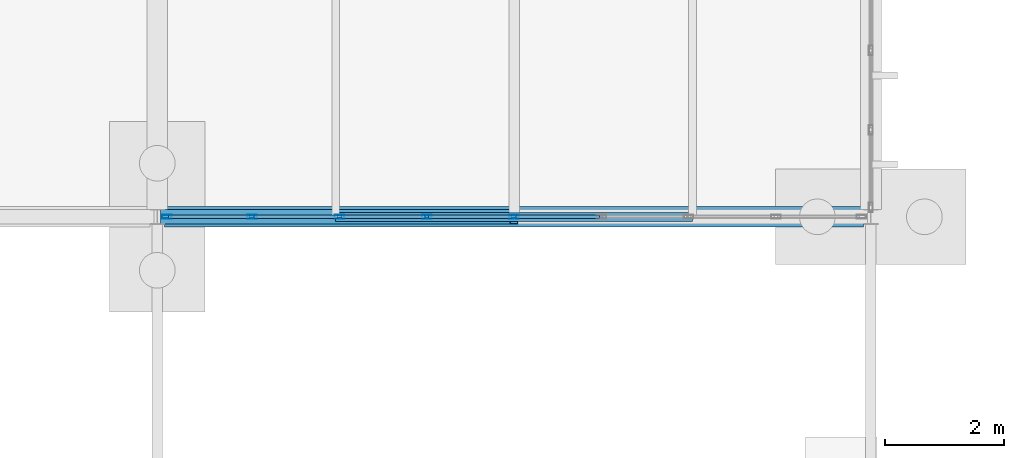
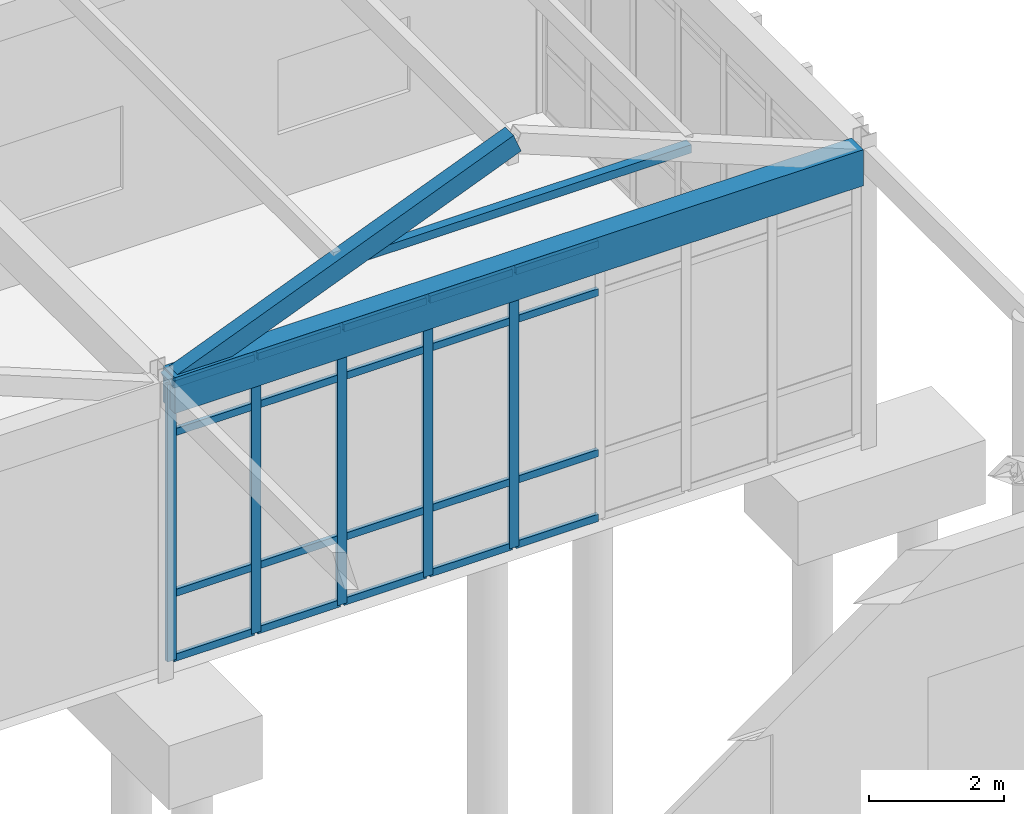
# One storey, part 65 of 188: 27 members, 1 beam, 1 element without a shape of its own.
"""IFC4 building model written with IfcOpenShell, lengths in metres."""

from ifc_helpers import new_model, si_unit, direction, frame, origin, origin_2d, place, context, subcontext, project, spatial, rectangle, hollow_rectangle, extrude, material, layer, layer_set, material_profile, profile_set, type_object, element, aggregate, save


model = new_model("IFC4")

# Units and contexts
model_context = context("Model", 3, precision=1e-05, world=origin(), true_north=direction((0.0, 1.0)))
body_context = subcontext(model_context, "Body", "Model", "MODEL_VIEW")
ifc_project = project(units=[si_unit("LENGTHUNIT", "METRE"), si_unit("AREAUNIT", "SQUARE_METRE"), si_unit("VOLUMEUNIT", "CUBIC_METRE"), si_unit("PLANEANGLEUNIT", "RADIAN"), si_unit("MASSUNIT", "GRAM", prefix="KILO")], contexts=[model_context])

# Site, building, storey
site_placement = place(None, origin())
site = spatial("IfcSite", under=ifc_project, at=site_placement, CompositionType="ELEMENT")
building_placement = place(site_placement, origin())
building = spatial("IfcBuilding", under=site, at=building_placement, Name="Pandanus Reach Market Hall", CompositionType="ELEMENT")
storey_placement = place(building_placement, origin())
storey = spatial("IfcBuildingStorey", under=building, at=storey_placement, Name="L00", CompositionType="ELEMENT", Elevation=0.0)

# Beam
ifc_material_1 = material(Name="Concrete N40 (40 MPa)", Category="concrete")
ifc_material_profile_1 = material_profile(ifc_material_1, rectangle(XDim=0.35009765625, YDim=0.64990234375, at=origin_2d()), Name="RC350x650", Category="LoadBearing")
ifc_profile_set_1 = profile_set([ifc_material_profile_1], Name="Concrete N40 (40 MPa)")
beam_type = type_object("IfcBeamType", Name="BM-RC350-E", PredefinedType="SPANDREL", material=ifc_profile_set_1)
beam_placement = place(storey_placement, frame((24.125, 76.800048828125, 4.8798828125), z_axis=(1.0, 0.0, 0.0), x_axis=(0.0, 1.0, 0.0)))
element("IfcBeam", 1, at=beam_placement, inside=storey, type_object=beam_type, Name="Framing beam BM-RC350-E L00.1180", PredefinedType="SPANDREL", context=body_context, shape_type="SweptSolid", body=[
    extrude(rectangle(XDim=0.35009765625, YDim=0.64990234375, at=origin_2d()), origin(), (0.0, 0.0, 1.0), 11.75),
])

# Member
ifc_material_2 = material(Name="Steel Grade 350 (350 MPa)", Category="steel")
ifc_material_profile_2 = material_profile(ifc_material_2, hollow_rectangle(XDim=0.14990234375, YDim=0.14990234375, WallThickness=0.009033203125, at=origin_2d()), Name="150x150x9.0SHS", Category="LoadBearing")
ifc_profile_set_2 = profile_set([ifc_material_profile_2], Name="Steel Grade 350 (350 MPa)")
member_type_1 = type_object("IfcMemberType", Name="CL-SHS150-I", PredefinedType="COLLAR", material=ifc_profile_set_2)
member_1_placement = place(storey_placement, frame((27.0, 76.800048828125, 6.166748046875), z_axis=(1.0, 0.0, 0.0), x_axis=(0.0, 1.0, 0.0)))
element("IfcMember", 2, at=member_1_placement, inside=storey, type_object=member_type_1, Name="Gable collar tie R3.B3", PredefinedType="COLLAR", context=body_context, shape_type="SweptSolid", body=[
    extrude(hollow_rectangle(XDim=0.14990234375, YDim=0.14990234375, WallThickness=0.009033203125, at=origin_2d()), origin(), (0.0, 0.0, 1.0), 6.0),
])

# Curtain wall, members
ifc_material_3 = material(Name="Bronze anodised aluminium and low-E glass", Category="aluminium")
ifc_layer = layer(ifc_material_3, 0.159912109375, Name="CW-07")
ifc_layer_set = layer_set([ifc_layer], Name="Bronze anodised aluminium and low-E glass")
curtain_wall_type = type_object("IfcCurtainWallType", Name="CW-07", PredefinedType="NOTDEFINED", material=ifc_layer_set)
curtain_wall_placement = place(storey_placement, origin())
curtain_wall = element("IfcCurtainWall", 3, at=curtain_wall_placement, inside=storey, type_object=curtain_wall_type, Name="Glazed curtain wall CW-07 CW-0045", PredefinedType="NOTDEFINED")
ifc_material_4 = material(Name="Bronze anodised aluminium", Category="aluminium")
ifc_material_profile_3 = material_profile(ifc_material_4, hollow_rectangle(XDim=0.06494140625, YDim=0.159912109375, WallThickness=0.00390625, at=origin_2d()), Name="ALU65x160", Category="LoadBearing")
ifc_profile_set_3 = profile_set([ifc_material_profile_3], Name="Bronze anodised aluminium")
member_type_2 = type_object("IfcMemberType", Name="CW-M1", PredefinedType="MULLION", material=ifc_profile_set_3)
member_2_placement = place(storey_placement, frame((24.159423828125, 76.800048828125, 0.0), z_axis=(0.0, 0.0, 1.0), x_axis=(0.0, 1.0, 0.0)))
member_2 = element("IfcMember", 4, at=member_2_placement, type_object=member_type_2, Name="CW-07 mullion 1", PredefinedType="MULLION", context=body_context, shape_type="SweptSolid", body=[
    extrude(hollow_rectangle(XDim=0.06494140625, YDim=0.159912109375, WallThickness=0.00390625, at=origin_2d()), origin(), (0.0, 0.0, 1.0), 5.0),
])
member_3_placement = place(storey_placement, frame((25.59521484375, 76.800048828125, 0.0), z_axis=(0.0, 0.0, 1.0), x_axis=(0.0, 1.0, 0.0)))
member_3 = element("IfcMember", 5, at=member_3_placement, type_object=member_type_2, Name="CW-07 mullion 2", PredefinedType="MULLION", context=body_context, shape_type="SweptSolid", body=[
    extrude(hollow_rectangle(XDim=0.06494140625, YDim=0.159912109375, WallThickness=0.00390625, at=origin_2d()), origin(), (0.0, 0.0, 1.0), 5.0),
])
member_4_placement = place(storey_placement, frame((27.0634765625, 76.800048828125, 0.0), z_axis=(0.0, 0.0, 1.0), x_axis=(0.0, 1.0, 0.0)))
member_4 = element("IfcMember", 6, at=member_4_placement, type_object=member_type_2, Name="CW-07 mullion 3", PredefinedType="MULLION", context=body_context, shape_type="SweptSolid", body=[
    extrude(hollow_rectangle(XDim=0.06494140625, YDim=0.159912109375, WallThickness=0.00390625, at=origin_2d()), origin(), (0.0, 0.0, 1.0), 5.0),
])
member_5_placement = place(storey_placement, frame((28.53173828125, 76.800048828125, 0.0), z_axis=(0.0, 0.0, 1.0), x_axis=(0.0, 1.0, 0.0)))
member_5 = element("IfcMember", 7, at=member_5_placement, type_object=member_type_2, Name="CW-07 mullion 4", PredefinedType="MULLION", context=body_context, shape_type="SweptSolid", body=[
    extrude(hollow_rectangle(XDim=0.06494140625, YDim=0.159912109375, WallThickness=0.00390625, at=origin_2d()), origin(), (0.0, 0.0, 1.0), 5.0),
])
member_6_placement = place(storey_placement, frame((30.0, 76.800048828125, 0.0), z_axis=(0.0, 0.0, 1.0), x_axis=(0.0, 1.0, 0.0)))
member_6 = element("IfcMember", 8, at=member_6_placement, type_object=member_type_2, Name="CW-07 mullion 5", PredefinedType="MULLION", context=body_context, shape_type="SweptSolid", body=[
    extrude(hollow_rectangle(XDim=0.06494140625, YDim=0.159912109375, WallThickness=0.00390625, at=origin_2d()), origin(), (0.0, 0.0, 1.0), 5.0),
])
ifc_material_profile_4 = material_profile(ifc_material_4, hollow_rectangle(XDim=0.06494140625, YDim=0.1298828125, WallThickness=0.00390625, at=origin_2d()), Name="ALU65x130", Category="LoadBearing")
ifc_profile_set_4 = profile_set([ifc_material_profile_4], Name="Bronze anodised aluminium")
member_type_3 = type_object("IfcMemberType", Name="CW-T1", PredefinedType="USERDEFINED", material=ifc_profile_set_4)
member_7_placement = place(storey_placement, frame((24.19189453125, 76.800048828125, 0.032470703125), z_axis=(1.0, 0.0, 0.0), x_axis=(0.0, 1.0, 0.0)))
member_7 = element("IfcMember", 9, at=member_7_placement, type_object=member_type_3, Name="CW-07 transom 1.1", ObjectType="TRANSOM", PredefinedType="USERDEFINED", context=body_context, shape_type="SweptSolid", body=[
    extrude(hollow_rectangle(XDim=0.06494140625, YDim=0.1298828125, WallThickness=0.00390625, at=origin_2d()), origin(), (0.0, 0.0, 1.0), 1.370849609375),
])
member_8_placement = place(storey_placement, frame((24.19189453125, 76.800048828125, 1.199951171875), z_axis=(1.0, 0.0, 0.0), x_axis=(0.0, 1.0, 0.0)))
member_8 = element("IfcMember", 10, at=member_8_placement, type_object=member_type_3, Name="CW-07 transom 1.2", ObjectType="TRANSOM", PredefinedType="USERDEFINED", context=body_context, shape_type="SweptSolid", body=[
    extrude(hollow_rectangle(XDim=0.06494140625, YDim=0.1298828125, WallThickness=0.00390625, at=origin_2d()), origin(), (0.0, 0.0, 1.0), 1.370849609375),
])
member_9_placement = place(storey_placement, frame((24.19189453125, 76.800048828125, 4.10009765625), z_axis=(1.0, 0.0, 0.0), x_axis=(0.0, 1.0, 0.0)))
member_9 = element("IfcMember", 11, at=member_9_placement, type_object=member_type_3, Name="CW-07 transom 1.3", ObjectType="TRANSOM", PredefinedType="USERDEFINED", context=body_context, shape_type="SweptSolid", body=[
    extrude(hollow_rectangle(XDim=0.06494140625, YDim=0.1298828125, WallThickness=0.00390625, at=origin_2d()), origin(), (0.0, 0.0, 1.0), 1.370849609375),
])
member_10_placement = place(storey_placement, frame((24.19189453125, 76.800048828125, 4.967529296875), z_axis=(1.0, 0.0, 0.0), x_axis=(0.0, 1.0, 0.0)))
member_10 = element("IfcMember", 12, at=member_10_placement, type_object=member_type_3, Name="CW-07 transom 1.4", ObjectType="TRANSOM", PredefinedType="USERDEFINED", context=body_context, shape_type="SweptSolid", body=[
    extrude(hollow_rectangle(XDim=0.06494140625, YDim=0.1298828125, WallThickness=0.00390625, at=origin_2d()), origin(), (0.0, 0.0, 1.0), 1.370849609375),
])
member_11_placement = place(storey_placement, frame((25.627685546875, 76.800048828125, 0.032470703125), z_axis=(1.0, 0.0, 0.0), x_axis=(0.0, 1.0, 0.0)))
member_11 = element("IfcMember", 13, at=member_11_placement, type_object=member_type_3, Name="CW-07 transom 2.1", ObjectType="TRANSOM", PredefinedType="USERDEFINED", context=body_context, shape_type="SweptSolid", body=[
    extrude(hollow_rectangle(XDim=0.06494140625, YDim=0.1298828125, WallThickness=0.00390625, at=origin_2d()), origin(), (0.0, 0.0, 1.0), 1.4033203125),
])
member_12_placement = place(storey_placement, frame((25.627685546875, 76.800048828125, 1.199951171875), z_axis=(1.0, 0.0, 0.0), x_axis=(0.0, 1.0, 0.0)))
member_12 = element("IfcMember", 14, at=member_12_placement, type_object=member_type_3, Name="CW-07 transom 2.2", ObjectType="TRANSOM", PredefinedType="USERDEFINED", context=body_context, shape_type="SweptSolid", body=[
    extrude(hollow_rectangle(XDim=0.06494140625, YDim=0.1298828125, WallThickness=0.00390625, at=origin_2d()), origin(), (0.0, 0.0, 1.0), 1.4033203125),
])
member_13_placement = place(storey_placement, frame((25.627685546875, 76.800048828125, 4.10009765625), z_axis=(1.0, 0.0, 0.0), x_axis=(0.0, 1.0, 0.0)))
member_13 = element("IfcMember", 15, at=member_13_placement, type_object=member_type_3, Name="CW-07 transom 2.3", ObjectType="TRANSOM", PredefinedType="USERDEFINED", context=body_context, shape_type="SweptSolid", body=[
    extrude(hollow_rectangle(XDim=0.06494140625, YDim=0.1298828125, WallThickness=0.00390625, at=origin_2d()), origin(), (0.0, 0.0, 1.0), 1.4033203125),
])
member_14_placement = place(storey_placement, frame((25.627685546875, 76.800048828125, 4.967529296875), z_axis=(1.0, 0.0, 0.0), x_axis=(0.0, 1.0, 0.0)))
member_14 = element("IfcMember", 16, at=member_14_placement, type_object=member_type_3, Name="CW-07 transom 2.4", ObjectType="TRANSOM", PredefinedType="USERDEFINED", context=body_context, shape_type="SweptSolid", body=[
    extrude(hollow_rectangle(XDim=0.06494140625, YDim=0.1298828125, WallThickness=0.00390625, at=origin_2d()), origin(), (0.0, 0.0, 1.0), 1.4033203125),
])
member_15_placement = place(storey_placement, frame((27.095947265625, 76.800048828125, 0.032470703125), z_axis=(1.0, 0.0, 0.0), x_axis=(0.0, 1.0, 0.0)))
member_15 = element("IfcMember", 17, at=member_15_placement, type_object=member_type_3, Name="CW-07 transom 3.1", ObjectType="TRANSOM", PredefinedType="USERDEFINED", context=body_context, shape_type="SweptSolid", body=[
    extrude(hollow_rectangle(XDim=0.06494140625, YDim=0.1298828125, WallThickness=0.00390625, at=origin_2d()), origin(), (0.0, 0.0, 1.0), 1.4033203125),
])
member_16_placement = place(storey_placement, frame((27.095947265625, 76.800048828125, 1.199951171875), z_axis=(1.0, 0.0, 0.0), x_axis=(0.0, 1.0, 0.0)))
member_16 = element("IfcMember", 18, at=member_16_placement, type_object=member_type_3, Name="CW-07 transom 3.2", ObjectType="TRANSOM", PredefinedType="USERDEFINED", context=body_context, shape_type="SweptSolid", body=[
    extrude(hollow_rectangle(XDim=0.06494140625, YDim=0.1298828125, WallThickness=0.00390625, at=origin_2d()), origin(), (0.0, 0.0, 1.0), 1.4033203125),
])
member_17_placement = place(storey_placement, frame((27.095947265625, 76.800048828125, 4.10009765625), z_axis=(1.0, 0.0, 0.0), x_axis=(0.0, 1.0, 0.0)))
member_17 = element("IfcMember", 19, at=member_17_placement, type_object=member_type_3, Name="CW-07 transom 3.3", ObjectType="TRANSOM", PredefinedType="USERDEFINED", context=body_context, shape_type="SweptSolid", body=[
    extrude(hollow_rectangle(XDim=0.06494140625, YDim=0.1298828125, WallThickness=0.00390625, at=origin_2d()), origin(), (0.0, 0.0, 1.0), 1.4033203125),
])
member_18_placement = place(storey_placement, frame((27.095947265625, 76.800048828125, 4.967529296875), z_axis=(1.0, 0.0, 0.0), x_axis=(0.0, 1.0, 0.0)))
member_18 = element("IfcMember", 20, at=member_18_placement, type_object=member_type_3, Name="CW-07 transom 3.4", ObjectType="TRANSOM", PredefinedType="USERDEFINED", context=body_context, shape_type="SweptSolid", body=[
    extrude(hollow_rectangle(XDim=0.06494140625, YDim=0.1298828125, WallThickness=0.00390625, at=origin_2d()), origin(), (0.0, 0.0, 1.0), 1.4033203125),
])
member_19_placement = place(storey_placement, frame((28.564208984375, 76.800048828125, 0.032470703125), z_axis=(1.0, 0.0, 0.0), x_axis=(0.0, 1.0, 0.0)))
member_19 = element("IfcMember", 21, at=member_19_placement, type_object=member_type_3, Name="CW-07 transom 4.1", ObjectType="TRANSOM", PredefinedType="USERDEFINED", context=body_context, shape_type="SweptSolid", body=[
    extrude(hollow_rectangle(XDim=0.06494140625, YDim=0.1298828125, WallThickness=0.00390625, at=origin_2d()), origin(), (0.0, 0.0, 1.0), 1.4033203125),
])
member_20_placement = place(storey_placement, frame((28.564208984375, 76.800048828125, 1.199951171875), z_axis=(1.0, 0.0, 0.0), x_axis=(0.0, 1.0, 0.0)))
member_20 = element("IfcMember", 22, at=member_20_placement, type_object=member_type_3, Name="CW-07 transom 4.2", ObjectType="TRANSOM", PredefinedType="USERDEFINED", context=body_context, shape_type="SweptSolid", body=[
    extrude(hollow_rectangle(XDim=0.06494140625, YDim=0.1298828125, WallThickness=0.00390625, at=origin_2d()), origin(), (0.0, 0.0, 1.0), 1.4033203125),
])
member_21_placement = place(storey_placement, frame((28.564208984375, 76.800048828125, 4.10009765625), z_axis=(1.0, 0.0, 0.0), x_axis=(0.0, 1.0, 0.0)))
member_21 = element("IfcMember", 23, at=member_21_placement, type_object=member_type_3, Name="CW-07 transom 4.3", ObjectType="TRANSOM", PredefinedType="USERDEFINED", context=body_context, shape_type="SweptSolid", body=[
    extrude(hollow_rectangle(XDim=0.06494140625, YDim=0.1298828125, WallThickness=0.00390625, at=origin_2d()), origin(), (0.0, 0.0, 1.0), 1.4033203125),
])
member_22_placement = place(storey_placement, frame((28.564208984375, 76.800048828125, 4.967529296875), z_axis=(1.0, 0.0, 0.0), x_axis=(0.0, 1.0, 0.0)))
member_22 = element("IfcMember", 24, at=member_22_placement, type_object=member_type_3, Name="CW-07 transom 4.4", ObjectType="TRANSOM", PredefinedType="USERDEFINED", context=body_context, shape_type="SweptSolid", body=[
    extrude(hollow_rectangle(XDim=0.06494140625, YDim=0.1298828125, WallThickness=0.00390625, at=origin_2d()), origin(), (0.0, 0.0, 1.0), 1.4033203125),
])
member_23_placement = place(storey_placement, frame((30.032470703125, 76.800048828125, 0.032470703125), z_axis=(1.0, 0.0, 0.0), x_axis=(0.0, 1.0, 0.0)))
member_23 = element("IfcMember", 25, at=member_23_placement, type_object=member_type_3, Name="CW-07 transom 5.1", ObjectType="TRANSOM", PredefinedType="USERDEFINED", context=body_context, shape_type="SweptSolid", body=[
    extrude(hollow_rectangle(XDim=0.06494140625, YDim=0.1298828125, WallThickness=0.00390625, at=origin_2d()), origin(), (0.0, 0.0, 1.0), 1.4033203125),
])
member_24_placement = place(storey_placement, frame((30.032470703125, 76.800048828125, 1.199951171875), z_axis=(1.0, 0.0, 0.0), x_axis=(0.0, 1.0, 0.0)))
member_24 = element("IfcMember", 26, at=member_24_placement, type_object=member_type_3, Name="CW-07 transom 5.2", ObjectType="TRANSOM", PredefinedType="USERDEFINED", context=body_context, shape_type="SweptSolid", body=[
    extrude(hollow_rectangle(XDim=0.06494140625, YDim=0.1298828125, WallThickness=0.00390625, at=origin_2d()), origin(), (0.0, 0.0, 1.0), 1.4033203125),
])
member_25_placement = place(storey_placement, frame((30.032470703125, 76.800048828125, 4.10009765625), z_axis=(1.0, 0.0, 0.0), x_axis=(0.0, 1.0, 0.0)))
member_25 = element("IfcMember", 27, at=member_25_placement, type_object=member_type_3, Name="CW-07 transom 5.3", ObjectType="TRANSOM", PredefinedType="USERDEFINED", context=body_context, shape_type="SweptSolid", body=[
    extrude(hollow_rectangle(XDim=0.06494140625, YDim=0.1298828125, WallThickness=0.00390625, at=origin_2d()), origin(), (0.0, 0.0, 1.0), 1.4033203125),
])
member_26_placement = place(storey_placement, frame((30.032470703125, 76.800048828125, 4.967529296875), z_axis=(1.0, 0.0, 0.0), x_axis=(0.0, 1.0, 0.0)))
member_26 = element("IfcMember", 28, at=member_26_placement, type_object=member_type_3, Name="CW-07 transom 5.4", ObjectType="TRANSOM", PredefinedType="USERDEFINED", context=body_context, shape_type="SweptSolid", body=[
    extrude(hollow_rectangle(XDim=0.06494140625, YDim=0.1298828125, WallThickness=0.00390625, at=origin_2d()), origin(), (0.0, 0.0, 1.0), 1.4033203125),
])
aggregate(curtain_wall, [member_2, member_3, member_4, member_5, member_6, member_7, member_8, member_9, member_10, member_11, member_12, member_13, member_14, member_15, member_16, member_17, member_18, member_19, member_20, member_21, member_22, member_23, member_24, member_25, member_26])

# Member
ifc_material_profile_5 = material_profile(ifc_material_2, hollow_rectangle(XDim=0.25, YDim=0.35009765625, WallThickness=0.012451171875, at=origin_2d()), Name="350x250x12.5RHS", Category="LoadBearing")
ifc_profile_set_5 = profile_set([ifc_material_profile_5], Name="Steel Grade 350 (350 MPa)")
member_type_4 = type_object("IfcMemberType", Name="RF-RHS350-E", PredefinedType="RAFTER", material=ifc_profile_set_5)
member_27_placement = place(storey_placement, frame((24.1201171875, 76.800048828125, 4.985107421875), z_axis=(0.927845665363, 0.0, 0.372964369971), x_axis=(0.0, 1.0, 0.0)))
element("IfcMember", 29, at=member_27_placement, inside=storey, type_object=member_type_4, Name="Steep gable rafter R3.B3W", PredefinedType="RAFTER", context=body_context, shape_type="SweptSolid", body=[
    extrude(hollow_rectangle(XDim=0.25, YDim=0.35009765625, WallThickness=0.012451171875, at=origin_2d()), origin(), (0.0, 0.0, 1.0), 6.337158203125),
])

save(model, "model.ifc")
